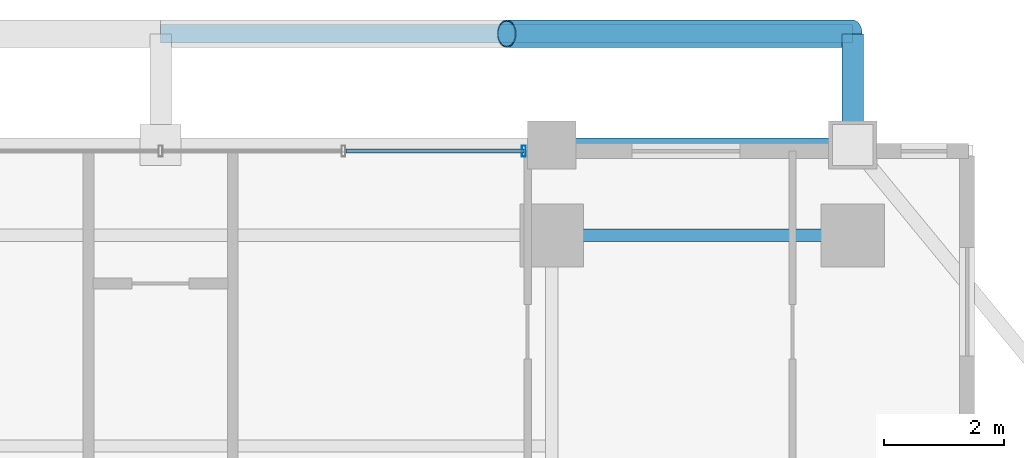
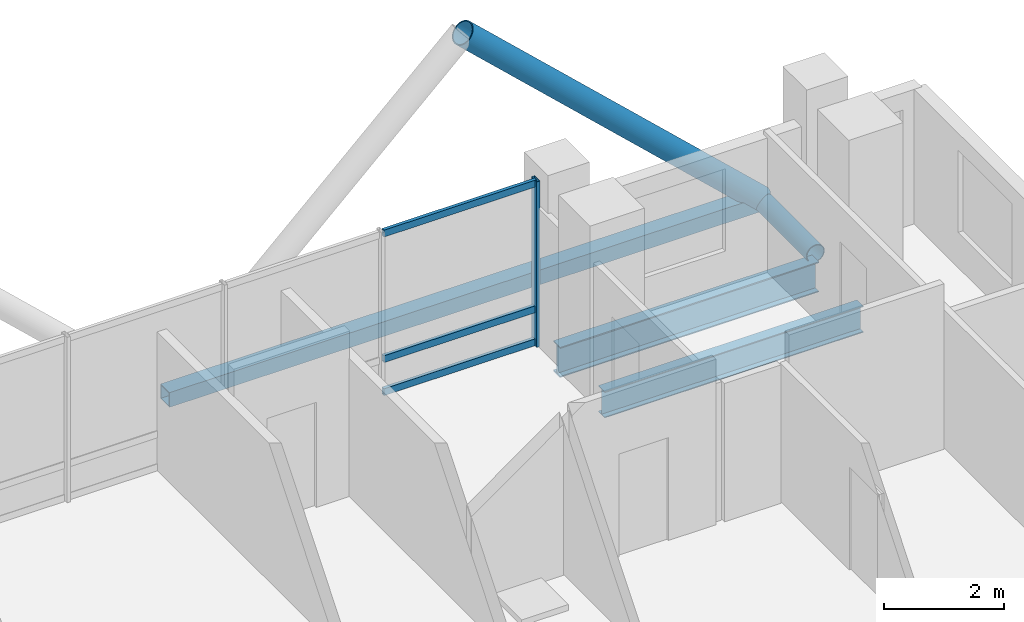
# One storey, part 18 of 26: 7 members, 2 beams, 1 element without a shape of its own.
"""IFC4 building model written with IfcOpenShell, lengths in metres."""

from ifc_helpers import new_model, si_unit, direction, frame, origin, origin_2d, place, context, subcontext, project, spatial, hollow_rectangle, hollow_circle, i_section, extrude, material, layer, layer_set, material_profile, profile_set, type_object, element, aggregate, save


model = new_model("IFC4")

# Units and contexts
model_context = context("Model", 3, precision=1e-05, world=origin(), true_north=direction((0.0, 1.0)))
body_context = subcontext(model_context, "Body", "Model", "MODEL_VIEW")
ifc_project = project(units=[si_unit("LENGTHUNIT", "METRE"), si_unit("AREAUNIT", "SQUARE_METRE"), si_unit("VOLUMEUNIT", "CUBIC_METRE"), si_unit("PLANEANGLEUNIT", "RADIAN"), si_unit("MASSUNIT", "GRAM", prefix="KILO")], contexts=[model_context])

# Site, building, storey
site_placement = place(None, origin())
site = spatial("IfcSite", under=ifc_project, at=site_placement, CompositionType="ELEMENT")
building_placement = place(site_placement, origin())
building = spatial("IfcBuilding", under=site, at=building_placement, Name="Barlavira Tower and Art Museum", CompositionType="ELEMENT")
storey_placement = place(building_placement, frame((0.0, 0.0, 198.0)))
storey = spatial("IfcBuildingStorey", under=building, at=storey_placement, Name="L51", CompositionType="ELEMENT", Elevation=198.0)

# Curtain wall, members
ifc_material_1 = material(Name="Low-iron coastal laminated glass", Category="glass")
ifc_layer = layer(ifc_material_1, 0.199951171875, Name="Low-iron coastal laminated glass")
ifc_layer_set = layer_set([ifc_layer], Name="Low-iron coastal laminated glass")
curtain_wall_type = type_object("IfcCurtainWallType", Name="Pale-Metal Unitised Curtain Wall Zone 3", PredefinedType="NOTDEFINED", material=ifc_layer_set)
curtain_wall_placement = place(storey_placement, origin())
curtain_wall = element("IfcCurtainWall", 1, at=curtain_wall_placement, inside=storey, type_object=curtain_wall_type, Name="L51 Curtain Wall CW3-L51-N-B3", PredefinedType="NOTDEFINED")
ifc_material_2 = material(Name="Pale anodised aluminium", Category="aluminium")
ifc_material_profile_1 = material_profile(ifc_material_2, hollow_rectangle(XDim=0.06494140625, YDim=0.179931640625, WallThickness=0.00390625, at=origin_2d()), Name="ALU-MULL 65x180x4")
ifc_profile_set_1 = profile_set([ifc_material_profile_1], Name="Pale anodised aluminium")
member_type_1 = type_object("IfcMemberType", Name="Curtain Wall Pale-Metal Mullion 65x180", PredefinedType="MULLION", material=ifc_profile_set_1)
member_1_placement = place(storey_placement, frame((6.034912109375, 21.39990234375, 0.0), z_axis=(0.0, 0.0, 1.0), x_axis=(-1.0, 0.0, 0.0)))
member_1 = element("IfcMember", 2, at=member_1_placement, type_object=member_type_1, Name="CW3-L51-N-B3 Mullion 0", PredefinedType="MULLION", context=body_context, shape_type="SweptSolid", body=[
    extrude(hollow_rectangle(XDim=0.06494140625, YDim=0.179931640625, WallThickness=0.00390625, at=origin_2d()), origin(), (0.0, 0.0, 1.0), 3.3798828125),
])
ifc_material_profile_2 = material_profile(ifc_material_2, hollow_rectangle(XDim=0.06494140625, YDim=0.139892578125, WallThickness=0.00390625, at=origin_2d()), Name="ALU-TRAN 65x140x4")
ifc_profile_set_2 = profile_set([ifc_material_profile_2], Name="Pale anodised aluminium")
member_type_2 = type_object("IfcMemberType", Name="Curtain Wall Pale-Metal Transom 65x140", PredefinedType="USERDEFINED", material=ifc_profile_set_2)
member_2_placement = place(storey_placement, frame((6.034912109375, 21.39990234375, 0.070068359375), z_axis=(-1.0, 0.0, 0.0), x_axis=(0.0, -1.0, 0.0)))
member_2 = element("IfcMember", 3, at=member_2_placement, type_object=member_type_2, Name="CW3-L51-N-B3 Transom 0.1", ObjectType="TRANSOM", PredefinedType="USERDEFINED", context=body_context, shape_type="SweptSolid", body=[
    extrude(hollow_rectangle(XDim=0.06494140625, YDim=0.139892578125, WallThickness=0.00390625, at=origin_2d()), origin(), (0.0, 0.0, 1.0), 2.949951171875),
])
member_3_placement = place(storey_placement, frame((6.034912109375, 21.39990234375, 0.743896484375), z_axis=(-1.0, 0.0, 0.0), x_axis=(0.0, -1.0, 0.0)))
member_3 = element("IfcMember", 4, at=member_3_placement, type_object=member_type_2, Name="CW3-L51-N-B3 Transom 0.2", ObjectType="TRANSOM", PredefinedType="USERDEFINED", context=body_context, shape_type="SweptSolid", body=[
    extrude(hollow_rectangle(XDim=0.06494140625, YDim=0.139892578125, WallThickness=0.00390625, at=origin_2d()), origin(), (0.0, 0.0, 1.0), 2.949951171875),
])
member_4_placement = place(storey_placement, frame((6.034912109375, 21.39990234375, 3.31005859375), z_axis=(-1.0, 0.0, 0.0), x_axis=(0.0, -1.0, 0.0)))
member_4 = element("IfcMember", 5, at=member_4_placement, type_object=member_type_2, Name="CW3-L51-N-B3 Transom 0.3", ObjectType="TRANSOM", PredefinedType="USERDEFINED", context=body_context, shape_type="SweptSolid", body=[
    extrude(hollow_rectangle(XDim=0.06494140625, YDim=0.139892578125, WallThickness=0.00390625, at=origin_2d()), origin(), (0.0, 0.0, 1.0), 2.949951171875),
])
aggregate(curtain_wall, [member_1, member_2, member_3, member_4])

# Members
ifc_material_3 = material(Name="Steel S355", Category="steel")
ifc_material_profile_3 = material_profile(ifc_material_3, hollow_circle(Radius=0.228515625, WallThickness=0.02001953125, at=origin_2d()), Name="CHS 457.0x20.0")
ifc_profile_set_3 = profile_set([ifc_material_profile_3], Name="Steel S355")
member_type_3 = type_object("IfcMemberType", Name="Pale-Metal Exoskeleton Diagrid Tube CHS 457x20 Steel S355", PredefinedType="BRACE", material=ifc_profile_set_3)
member_5_placement = place(storey_placement, frame((11.5, 23.35009765625, -0.1201171875), z_axis=(-0.728934650808, 0.0, 0.684583285548), x_axis=(0.0, -1.0, 0.0)))
element("IfcMember", 6, at=member_5_placement, inside=storey, type_object=member_type_3, Name="L51 Exoskeleton Diagrid Tube N", PredefinedType="BRACE", context=body_context, shape_type="SweptSolid", body=[
    extrude(hollow_circle(Radius=0.228515625, WallThickness=0.02001953125, at=origin_2d()), origin(), (0.0, 0.0, 1.0), 7.88818359375),
])
ifc_material_profile_4 = material_profile(ifc_material_3, hollow_circle(Radius=0.177734375, WallThickness=0.01611328125, at=origin_2d()), Name="CHS 355.6x16.0")
ifc_profile_set_4 = profile_set([ifc_material_profile_4], Name="Steel S355")
member_type_4 = type_object("IfcMemberType", Name="Pale-Metal Exoskeleton Tie Strut CHS 356x16 Steel S355", PredefinedType="STRUT", material=ifc_profile_set_4)
member_6_placement = place(storey_placement, frame((11.5, 23.35009765625, -0.1201171875), z_axis=(0.0, -1.0, 0.0), x_axis=(1.0, 0.0, 0.0)))
element("IfcMember", 7, at=member_6_placement, inside=storey, type_object=member_type_4, Name="L51 Exoskeleton Tie Strut N3", PredefinedType="STRUT", context=body_context, shape_type="SweptSolid", body=[
    extrude(hollow_circle(Radius=0.177734375, WallThickness=0.01611328125, at=origin_2d()), origin(), (0.0, 0.0, 1.0), 1.85009765625),
])
ifc_material_profile_5 = material_profile(ifc_material_3, hollow_rectangle(XDim=0.300048828125, YDim=0.300048828125, WallThickness=0.01611328125, at=origin_2d()), Name="SHS 300x300x16.0")
ifc_profile_set_5 = profile_set([ifc_material_profile_5], Name="Steel S355")
member_type_5 = type_object("IfcMemberType", Name="Pale-Metal Upper Ring Strut SHS 300x300x16 Steel S355", PredefinedType="STRUT", material=ifc_profile_set_5)
member_7_placement = place(storey_placement, frame((0.0, 23.35009765625, -0.1201171875), z_axis=(1.0, 0.0, 0.0), x_axis=(0.0, 1.0, 0.0)))
element("IfcMember", 8, at=member_7_placement, inside=storey, type_object=member_type_5, Name="L51 Exoskeleton Ring Strut N", PredefinedType="STRUT", context=body_context, shape_type="SweptSolid", body=[
    extrude(hollow_rectangle(XDim=0.300048828125, YDim=0.300048828125, WallThickness=0.01611328125, at=origin_2d()), origin(), (0.0, 0.0, 1.0), 11.5),
])

# Beams
ifc_material_profile_6 = material_profile(ifc_material_3, i_section(OverallWidth=0.22998046875, OverallDepth=0.616943359375, WebThickness=0.01318359375, FlangeThickness=0.022216796875, at=origin_2d()), Name="W610x140.0")
ifc_profile_set_6 = profile_set([ifc_material_profile_6], Name="Steel S355")
beam_type_1 = type_object("IfcBeamType", Name="Upper Shaft Spandrel Edge Beam W610x140 Steel S355", PredefinedType="SPANDREL", material=ifc_profile_set_6)
beam_1_placement = place(storey_placement, frame((6.5, 21.5, -0.528564453125), z_axis=(1.0, 0.0, 0.0), x_axis=(0.0, 1.0, 0.0)))
element("IfcBeam", 9, at=beam_1_placement, inside=storey, type_object=beam_type_1, Name="L51 Spandrel 9", PredefinedType="SPANDREL", context=body_context, shape_type="SweptSolid", body=[
    extrude(i_section(OverallWidth=0.22998046875, OverallDepth=0.616943359375, WebThickness=0.01318359375, FlangeThickness=0.022216796875, at=origin_2d()), origin(), (0.0, 0.0, 1.0), 5.0),
])
ifc_material_profile_7 = material_profile(ifc_material_3, i_section(OverallWidth=0.2109375, OverallDepth=0.5390625, WebThickness=0.01171875, FlangeThickness=0.018798828125, at=origin_2d()), Name="W530x109.0")
ifc_profile_set_7 = profile_set([ifc_material_profile_7], Name="Steel S355")
beam_type_2 = type_object("IfcBeamType", Name="Zone 3-4 Primary Floor Girder W530x109 Steel S355", PredefinedType="BEAM", material=ifc_profile_set_7)
beam_2_placement = place(storey_placement, frame((6.5, 20.0, -0.489501953125), z_axis=(1.0, 0.0, 0.0), x_axis=(0.0, 1.0, 0.0)))
element("IfcBeam", 10, at=beam_2_placement, inside=storey, type_object=beam_type_2, Name="L51 Girder M-N3", PredefinedType="BEAM", context=body_context, shape_type="SweptSolid", body=[
    extrude(i_section(OverallWidth=0.2109375, OverallDepth=0.5390625, WebThickness=0.01171875, FlangeThickness=0.018798828125, at=origin_2d()), origin(), (0.0, 0.0, 1.0), 5.0),
])

save(model, "model.ifc")
